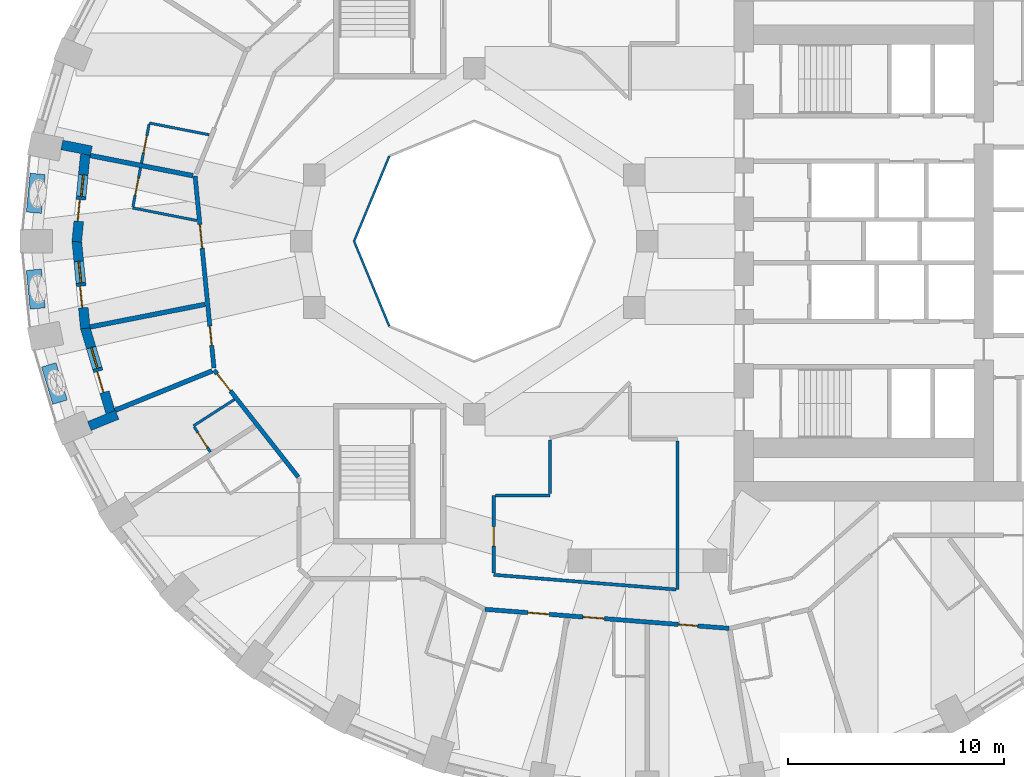
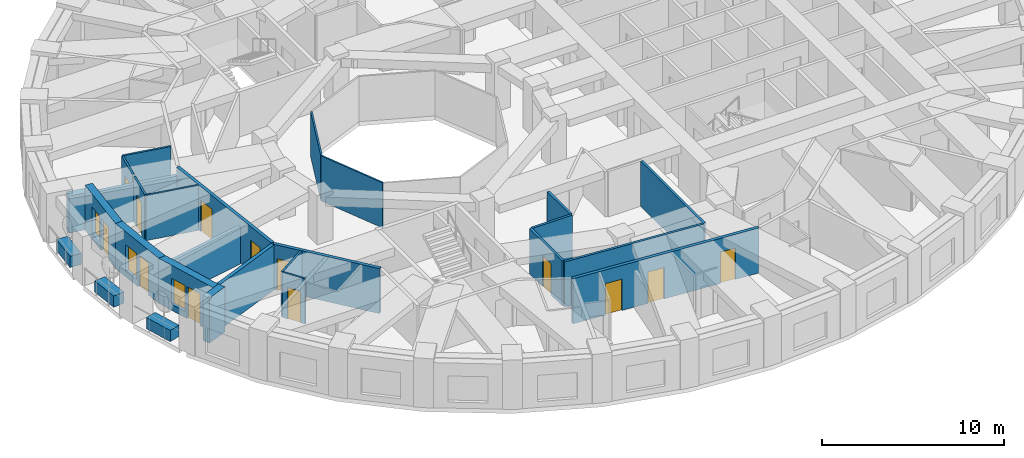
# One storey, part 4 of 13: 27 walls, 13 doors, 3 windows, 16 openings.
"""IFC4 building model written with IfcOpenShell, lengths in metres."""

from ifc_helpers import new_model, si_unit, direction, frame, frame_2d, origin, place, context, subcontext, project, spatial, rectangle, extrude, material, layer, layer_set, constituent, constituent_set, type_object, element, fill, save


model = new_model("IFC4")

# Units and contexts
model_context = context("Model", 3, precision=1e-05, world=origin(), true_north=direction((0.0, 1.0)))
body_context = subcontext(model_context, "Body", "Model", "MODEL_VIEW")
ifc_project = project(units=[si_unit("LENGTHUNIT", "METRE"), si_unit("AREAUNIT", "SQUARE_METRE"), si_unit("VOLUMEUNIT", "CUBIC_METRE"), si_unit("PLANEANGLEUNIT", "RADIAN"), si_unit("MASSUNIT", "GRAM", prefix="KILO")], contexts=[model_context])

# Site, building, storey
site_placement = place(None, origin())
site = spatial("IfcSite", under=ifc_project, at=site_placement, CompositionType="ELEMENT")
building_placement = place(site_placement, origin())
building = spatial("IfcBuilding", under=site, at=building_placement, Name="Taillehof Tower", CompositionType="ELEMENT")
storey_placement = place(building_placement, frame((0.0, 0.0, 64.60009765625)))
storey = spatial("IfcBuildingStorey", under=building, at=storey_placement, Name="L17", CompositionType="ELEMENT", Elevation=64.60009765625)

# Walls
ifc_material_1 = material(Name="Fire-resisting glass in steel frame", Category="steel")
ifc_layer_1 = layer(ifc_material_1, 0.10009765625)
ifc_layer_set_1 = layer_set([ifc_layer_1], Name="Atrium fire-resisting screen EI 60 100")
wall_type_1 = type_object("IfcWallType", Name="Atrium fire-resisting screen EI 60 100", PredefinedType="PARTITIONING", material=ifc_layer_set_1)
for number, where, z_axis, x_axis, name in (
    (1, (-11.92724609375, -3.92724609375, 0.0), (0.0, 0.0, 1.0), (-0.382730523909, 0.923860025149, 0.0), "Atrium screen"),
    (2, (-13.55419921875, 0.0, 0.0), (0.0, 0.0, 1.0), (0.382730523909, 0.923860025149, 0.0), "Atrium screen"),
):
    element("IfcWall", number, at=place(storey_placement, frame(where, z_axis=z_axis, x_axis=x_axis)), inside=storey, type_object=wall_type_1, Name=name, PredefinedType="PARTITIONING", context=body_context, shape_type="SweptSolid", body=[
        extrude(rectangle(XDim=4.2509765625, YDim=0.10009765625, at=frame_2d((2.12548828125, 0.0))), origin(), (0.0, 0.0, 1.0), 3.02001953125),
    ])
ifc_material_2 = material(Name="Brick masonry", Category="masonry")
ifc_layer_2 = layer(ifc_material_2, 0.449951171875)
ifc_layer_set_2 = layer_set([ifc_layer_2], Name="Brick infill wall 450")
wall_type_2 = type_object("IfcWallType", Name="Brick infill wall 450", PredefinedType="SOLIDWALL", material=ifc_layer_set_2)
wall_1_placement = place(storey_placement, frame((-27.06396484375, 4.449951171875, 0.0), z_axis=(0.0, 0.0, 1.0), x_axis=(0.98123042829, -0.192838913596, 0.0)))
element("IfcWall", 3, at=wall_1_placement, inside=storey, type_object=wall_type_2, Name="Brick reveal L17 pocket 5", PredefinedType="SOLIDWALL", context=body_context, shape_type="SweptSolid", body=[
    extrude(rectangle(XDim=1.39013671875, YDim=0.449951171875, at=frame_2d((0.695068359375, 0.0))), origin(), (0.0, 0.0, 1.0), 2.469970703125),
])
wall_2_placement = place(storey_placement, frame((-25.795654296875, -8.54443359375, 0.0), z_axis=(0.0, 0.0, 1.0), x_axis=(0.926575599743, 0.376108572039, 0.0)))
element("IfcWall", 4, at=wall_2_placement, inside=storey, type_object=wall_type_2, Name="Brick reveal L17 pocket 5", PredefinedType="SOLIDWALL", context=body_context, shape_type="SweptSolid", body=[
    extrude(rectangle(XDim=1.390380859375, YDim=0.449951171875, at=frame_2d((0.6953125, 0.0))), origin(), (0.0, 0.0, 1.0), 3.02001953125),
])

# Wall, openings, door, window
wall_3_placement = place(storey_placement, frame((-25.982666015625, 4.008056640625, 0.0), z_axis=(0.0, 0.0, 1.0), x_axis=(-0.097133468736, -0.995271364629, 0.0)))
wall_3 = element("IfcWall", 5, at=wall_3_placement, inside=storey, type_object=wall_type_2, Name="Brick wall L17 pocket bay 18", PredefinedType="SOLIDWALL", context=body_context, shape_type="SweptSolid", body=[
    extrude(rectangle(XDim=4.049072265625, YDim=0.449951171875, at=frame_2d((2.0244140625, 0.0))), origin(), (0.0, 0.0, 1.0), 3.02001953125),
])
opening_1_placement = place(wall_3_placement, frame((0.949462890625, 0.0, 0.39990234375)))
opening_1 = element("IfcOpeningElement", 6, at=opening_1_placement, cuts=wall_3, Name="Opening W5", PredefinedType="OPENING", context=body_context, shape_type="SweptSolid", body=[
    extrude(rectangle(XDim=1.0, YDim=1.75, at=frame_2d((0.5, 0.875))), frame((0.0, 0.23486328125, 0.0), z_axis=(0.0, -1.0, 0.0), x_axis=(1.0, 0.0, 0.0)), (0.0, 0.0, 1.0), 0.469970703125),
])
opening_2_placement = place(wall_3_placement, frame((2.099609375, 0.0, 0.0)))
opening_2 = element("IfcOpeningElement", 7, at=opening_2_placement, cuts=wall_3, Name="Opening D1791", PredefinedType="OPENING", context=body_context, shape_type="SweptSolid", body=[
    extrude(rectangle(XDim=1.0, YDim=2.14990234375, at=frame_2d((0.5, 1.074951171875))), frame((0.0, 0.23486328125, 0.0), z_axis=(0.0, -1.0, 0.0), x_axis=(1.0, 0.0, 0.0)), (0.0, 0.0, 1.0), 0.469970703125),
])
ifc_material_3 = material(Name="Aluminium door frame with clear double glazing", Category="aluminium")
door_type_1 = type_object("IfcDoorType", Name="Balcony door 1000x2150", OperationType="SINGLE_SWING_RIGHT", PredefinedType="DOOR", material=ifc_material_3)
door_1_placement = place(opening_2_placement, frame((1.0, 0.0, 0.0), z_axis=(0.0, 0.0, 1.0), x_axis=(-1.0, 0.0, 0.0)))
door_1 = element("IfcDoor", 8, at=door_1_placement, inside=storey, type_object=door_type_1, Name="Balcony door L17 bay 18", OperationType="SINGLE_SWING_RIGHT", OverallHeight=2.14990234375, OverallWidth=1.0, PredefinedType="DOOR", context=body_context, shape_type="SweptSolid", body=[
    extrude(rectangle(XDim=1.0, YDim=2.14990234375, at=frame_2d((0.5, 1.074951171875))), frame((0.0, 0.0751953125, 0.0), z_axis=(0.0, -1.0, 0.0), x_axis=(1.0, 0.0, 0.0)), (0.0, 0.0, 1.0), 0.050048828125),
])
fill(opening_2, door_1)
ifc_material_4 = material(Name="Aluminium window frame with clear double glazing", Category="aluminium")
window_type = type_object("IfcWindowType", Name="Fixed window 1000x1750", PartitioningType="SINGLE_PANEL", PredefinedType="WINDOW", material=ifc_material_4)
window_1_placement = place(opening_1_placement, origin())
window_1 = element("IfcWindow", 9, at=window_1_placement, inside=storey, type_object=window_type, Name="W5", OverallHeight=1.75, OverallWidth=1.0, PartitioningType="SINGLE_PANEL", PredefinedType="WINDOW", context=body_context, shape_type="SweptSolid", body=[
    extrude(rectangle(XDim=1.0, YDim=1.75, at=frame_2d((0.5, 0.875))), frame((0.0, 0.034912109375, 0.0), z_axis=(0.0, -1.0, 0.0), x_axis=(1.0, 0.0, 0.0)), (0.0, 0.0, 1.0), 0.06005859375),
])
fill(opening_1, window_1)

wall_4_placement = place(storey_placement, frame((-26.3759765625, 0.02197265625, 0.0), z_axis=(0.0, 0.0, 1.0), x_axis=(0.097092719726, -0.995275340685, 0.0)))
wall_4 = element("IfcWall", 10, at=wall_4_placement, inside=storey, type_object=wall_type_2, Name="Brick wall L17 pocket bay 19", PredefinedType="SOLIDWALL", context=body_context, shape_type="SweptSolid", body=[
    extrude(rectangle(XDim=4.071044921875, YDim=0.449951171875, at=frame_2d((2.03564453125, 0.0))), origin(), (0.0, 0.0, 1.0), 3.02001953125),
])
opening_3_placement = place(wall_4_placement, frame((0.96044921875, 0.0, 0.39990234375)))
opening_3 = element("IfcOpeningElement", 11, at=opening_3_placement, cuts=wall_4, Name="Opening W5", PredefinedType="OPENING", context=body_context, shape_type="SweptSolid", body=[
    extrude(rectangle(XDim=1.0, YDim=1.75, at=frame_2d((0.5, 0.875))), frame((0.0, 0.23486328125, 0.0), z_axis=(0.0, -1.0, 0.0), x_axis=(1.0, 0.0, 0.0)), (0.0, 0.0, 1.0), 0.469970703125),
])
opening_4_placement = place(wall_4_placement, frame((2.110595703125, 0.0, 0.0)))
opening_4 = element("IfcOpeningElement", 12, at=opening_4_placement, cuts=wall_4, Name="Opening D1792", PredefinedType="OPENING", context=body_context, shape_type="SweptSolid", body=[
    extrude(rectangle(XDim=1.0, YDim=2.14990234375, at=frame_2d((0.5, 1.074951171875))), frame((0.0, 0.23486328125, 0.0), z_axis=(0.0, -1.0, 0.0), x_axis=(1.0, 0.0, 0.0)), (0.0, 0.0, 1.0), 0.469970703125),
])
door_2_placement = place(opening_4_placement, frame((1.0, 0.0, 0.0), z_axis=(0.0, 0.0, 1.0), x_axis=(-1.0, 0.0, 0.0)))
door_2 = element("IfcDoor", 13, at=door_2_placement, inside=storey, type_object=door_type_1, Name="Balcony door L17 bay 19", OperationType="SINGLE_SWING_LEFT", OverallHeight=2.14990234375, OverallWidth=1.0, PredefinedType="DOOR", context=body_context, shape_type="SweptSolid", body=[
    extrude(rectangle(XDim=1.0, YDim=2.14990234375, at=frame_2d((0.5, 1.074951171875))), frame((0.0, 0.0751953125, 0.0), z_axis=(0.0, -1.0, 0.0), x_axis=(1.0, 0.0, 0.0)), (0.0, 0.0, 1.0), 0.050048828125),
])
fill(opening_4, door_2)
window_2_placement = place(opening_3_placement, origin())
window_2 = element("IfcWindow", 14, at=window_2_placement, inside=storey, type_object=window_type, Name="W5", OverallHeight=1.75, OverallWidth=1.0, PartitioningType="SINGLE_PANEL", PredefinedType="WINDOW", context=body_context, shape_type="SweptSolid", body=[
    extrude(rectangle(XDim=1.0, YDim=1.75, at=frame_2d((0.5, 0.875))), frame((0.0, 0.034912109375, 0.0), z_axis=(0.0, -1.0, 0.0), x_axis=(1.0, 0.0, 0.0)), (0.0, 0.0, 1.0), 0.06005859375),
])
fill(opening_3, window_2)

wall_5_placement = place(storey_placement, frame((-25.989013671875, -3.9873046875, 0.0), z_axis=(0.0, 0.0, 1.0), x_axis=(0.286427456555, -0.958101932015, 0.0)))
wall_5 = element("IfcWall", 15, at=wall_5_placement, inside=storey, type_object=wall_type_2, Name="Brick wall L17 pocket bay 20", PredefinedType="SOLIDWALL", context=body_context, shape_type="SweptSolid", body=[
    extrude(rectangle(XDim=4.0888671875, YDim=0.449951171875, at=frame_2d((2.04443359375, 0.0))), origin(), (0.0, 0.0, 1.0), 3.02001953125),
])
opening_5_placement = place(wall_5_placement, frame((0.969482421875, 0.0, 0.39990234375)))
opening_5 = element("IfcOpeningElement", 16, at=opening_5_placement, cuts=wall_5, Name="Opening W5", PredefinedType="OPENING", context=body_context, shape_type="SweptSolid", body=[
    extrude(rectangle(XDim=1.0, YDim=1.75, at=frame_2d((0.5, 0.875))), frame((0.0, 0.23486328125, 0.0), z_axis=(0.0, -1.0, 0.0), x_axis=(1.0, 0.0, 0.0)), (0.0, 0.0, 1.0), 0.469970703125),
])
opening_6_placement = place(wall_5_placement, frame((2.119384765625, 0.0, 0.0)))
opening_6 = element("IfcOpeningElement", 17, at=opening_6_placement, cuts=wall_5, Name="Opening D1793", PredefinedType="OPENING", context=body_context, shape_type="SweptSolid", body=[
    extrude(rectangle(XDim=1.0, YDim=2.14990234375, at=frame_2d((0.5, 1.074951171875))), frame((0.0, 0.23486328125, 0.0), z_axis=(0.0, -1.0, 0.0), x_axis=(1.0, 0.0, 0.0)), (0.0, 0.0, 1.0), 0.469970703125),
])
door_3_placement = place(opening_6_placement, frame((1.0, 0.0, 0.0), z_axis=(0.0, 0.0, 1.0), x_axis=(-1.0, 0.0, 0.0)))
door_3 = element("IfcDoor", 18, at=door_3_placement, inside=storey, type_object=door_type_1, Name="Balcony door L17 bay 20", OperationType="SINGLE_SWING_LEFT", OverallHeight=2.14990234375, OverallWidth=1.0, PredefinedType="DOOR", context=body_context, shape_type="SweptSolid", body=[
    extrude(rectangle(XDim=1.0, YDim=2.14990234375, at=frame_2d((0.5, 1.074951171875))), frame((0.0, 0.0751953125, 0.0), z_axis=(0.0, -1.0, 0.0), x_axis=(1.0, 0.0, 0.0)), (0.0, 0.0, 1.0), 0.050048828125),
])
fill(opening_6, door_3)
window_3_placement = place(opening_5_placement, origin())
window_3 = element("IfcWindow", 19, at=window_3_placement, inside=storey, type_object=window_type, Name="W5", OverallHeight=1.75, OverallWidth=1.0, PartitioningType="SINGLE_PANEL", PredefinedType="WINDOW", context=body_context, shape_type="SweptSolid", body=[
    extrude(rectangle(XDim=1.0, YDim=1.75, at=frame_2d((0.5, 0.875))), frame((0.0, 0.034912109375, 0.0), z_axis=(0.0, -1.0, 0.0), x_axis=(1.0, 0.0, 0.0)), (0.0, 0.0, 1.0), 0.06005859375),
])
fill(opening_5, window_3)

# Wall, openings, doors
ifc_material_5 = material(Name="Gypsum board on steel studs, two layers each side", Category="steel")
ifc_layer_3 = layer(ifc_material_5, 0.199951171875)
ifc_layer_set_3 = layer_set([ifc_layer_3], Name="Compartment wall corridor 200")
wall_type_3 = type_object("IfcWallType", Name="Compartment wall corridor 200", PredefinedType="PARTITIONING", material=ifc_layer_set_3)
wall_6_placement = place(storey_placement, frame((3.77783203125, -17.897705078125, 0.0), z_axis=(0.0, 0.0, 1.0), x_axis=(-0.996963005503, 0.077876605336, 0.0)))
wall_6 = element("IfcWall", 20, at=wall_6_placement, inside=storey, type_object=wall_type_3, Name="Compartment wall", PredefinedType="PARTITIONING", context=body_context, shape_type="SweptSolid", body=[
    extrude(rectangle(XDim=11.31103515625, YDim=0.199951171875, at=frame_2d((5.655517578125, 0.0))), origin(), (0.0, 0.0, 1.0), 3.02001953125),
])
opening_7_placement = place(wall_6_placement, frame((8.32958984375, 0.0, 0.0)))
opening_7 = element("IfcOpeningElement", 21, at=opening_7_placement, cuts=wall_6, Name="Opening D1766", PredefinedType="OPENING", context=body_context, shape_type="SweptSolid", body=[
    extrude(rectangle(XDim=1.0, YDim=2.10009765625, at=frame_2d((0.5, 1.050048828125))), frame((0.0, 0.10986328125, 0.0), z_axis=(0.0, -1.0, 0.0), x_axis=(1.0, 0.0, 0.0)), (0.0, 0.0, 1.0), 0.219970703125),
])
opening_8_placement = place(wall_6_placement, frame((5.77001953125, 0.0, 0.0)))
opening_8 = element("IfcOpeningElement", 22, at=opening_8_placement, cuts=wall_6, Name="Opening D1768", PredefinedType="OPENING", context=body_context, shape_type="SweptSolid", body=[
    extrude(rectangle(XDim=1.0, YDim=2.10009765625, at=frame_2d((0.5, 1.050048828125))), frame((0.0, 0.10986328125, 0.0), z_axis=(0.0, -1.0, 0.0), x_axis=(1.0, 0.0, 0.0)), (0.0, 0.0, 1.0), 0.219970703125),
])
opening_9_placement = place(wall_6_placement, frame((1.44970703125, 0.0, 0.0)))
opening_9 = element("IfcOpeningElement", 23, at=opening_9_placement, cuts=wall_6, Name="Opening D1770", PredefinedType="OPENING", context=body_context, shape_type="SweptSolid", body=[
    extrude(rectangle(XDim=0.89990234375, YDim=2.10009765625, at=frame_2d((0.449951171875, 1.050048828125))), frame((0.0, 0.10986328125, 0.0), z_axis=(0.0, -1.0, 0.0), x_axis=(1.0, 0.0, 0.0)), (0.0, 0.0, 1.0), 0.219970703125),
])
ifc_material_6 = material(Name="Timber door leaf in steel frame", Category="steel")
door_type_2 = type_object("IfcDoorType", Name="Guest room door EI 30 1000 x 2100", OperationType="SINGLE_SWING_LEFT", PredefinedType="DOOR", material=ifc_material_6)
door_4_placement = place(opening_7_placement, origin())
door_4 = element("IfcDoor", 24, at=door_4_placement, inside=storey, type_object=door_type_2, Name="D1766", OperationType="SINGLE_SWING_RIGHT", OverallHeight=2.10009765625, OverallWidth=1.0, PredefinedType="DOOR", context=body_context, shape_type="SweptSolid", body=[
    extrude(rectangle(XDim=1.0, YDim=2.10009765625, at=frame_2d((0.5, 1.050048828125))), frame((0.0, 0.02490234375, 0.0), z_axis=(0.0, -1.0, 0.0), x_axis=(1.0, 0.0, 0.0)), (0.0, 0.0, 1.0), 0.050048828125),
])
fill(opening_7, door_4)
door_5_placement = place(opening_8_placement, origin())
door_5 = element("IfcDoor", 25, at=door_5_placement, inside=storey, type_object=door_type_2, Name="D1768", OperationType="SINGLE_SWING_LEFT", OverallHeight=2.10009765625, OverallWidth=1.0, PredefinedType="DOOR", context=body_context, shape_type="SweptSolid", body=[
    extrude(rectangle(XDim=1.0, YDim=2.10009765625, at=frame_2d((0.5, 1.050048828125))), frame((0.0, 0.02490234375, 0.0), z_axis=(0.0, -1.0, 0.0), x_axis=(1.0, 0.0, 0.0)), (0.0, 0.0, 1.0), 0.050048828125),
])
fill(opening_8, door_5)
ifc_material_7 = material(Name="Timber door leaf in steel frame", Category="steel")
door_type_3 = type_object("IfcDoorType", Name="Service room door EI 30 900 x 2100", OperationType="SINGLE_SWING_LEFT", PredefinedType="DOOR", material=ifc_material_7)
door_6_placement = place(opening_9_placement, origin())
door_6 = element("IfcDoor", 26, at=door_6_placement, inside=storey, type_object=door_type_3, Name="D1770", OperationType="SINGLE_SWING_RIGHT", OverallHeight=2.10009765625, OverallWidth=0.89990234375, PredefinedType="DOOR", context=body_context, shape_type="SweptSolid", body=[
    extrude(rectangle(XDim=0.89990234375, YDim=2.10009765625, at=frame_2d((0.449951171875, 1.050048828125))), frame((0.0, 0.02490234375, 0.0), z_axis=(0.0, -1.0, 0.0), x_axis=(1.0, 0.0, 0.0)), (0.0, 0.0, 1.0), 0.050048828125),
])
fill(opening_9, door_6)

# Wall, opening, door
wall_7_placement = place(storey_placement, frame((-16.137451171875, -10.904052734375, 0.0), z_axis=(0.0, 0.0, 1.0), x_axis=(-0.617888403737, 0.786265807808, 0.0)))
wall_7 = element("IfcWall", 27, at=wall_7_placement, inside=storey, type_object=wall_type_3, Name="Compartment wall", PredefinedType="PARTITIONING", context=body_context, shape_type="SweptSolid", body=[
    extrude(rectangle(XDim=6.2900390625, YDim=0.199951171875, at=frame_2d((3.14501953125, 0.0))), origin(), (0.0, 0.0, 1.0), 3.02001953125),
])
opening_10_placement = place(wall_7_placement, frame((5.06982421875, 0.0, 0.0)))
opening_10 = element("IfcOpeningElement", 28, at=opening_10_placement, cuts=wall_7, Name="Opening D1760", PredefinedType="OPENING", context=body_context, shape_type="SweptSolid", body=[
    extrude(rectangle(XDim=1.0, YDim=2.10009765625, at=frame_2d((0.5, 1.050048828125))), frame((0.0, 0.10986328125, 0.0), z_axis=(0.0, -1.0, 0.0), x_axis=(1.0, 0.0, 0.0)), (0.0, 0.0, 1.0), 0.219970703125),
])
door_7_placement = place(opening_10_placement, origin())
door_7 = element("IfcDoor", 29, at=door_7_placement, inside=storey, type_object=door_type_2, Name="D1760", OperationType="SINGLE_SWING_RIGHT", OverallHeight=2.10009765625, OverallWidth=1.0, PredefinedType="DOOR", context=body_context, shape_type="SweptSolid", body=[
    extrude(rectangle(XDim=1.0, YDim=2.10009765625, at=frame_2d((0.5, 1.050048828125))), frame((0.0, 0.02490234375, 0.0), z_axis=(0.0, -1.0, 0.0), x_axis=(1.0, 0.0, 0.0)), (0.0, 0.0, 1.0), 0.050048828125),
])
fill(opening_10, door_7)

# Wall, openings, doors
wall_8_placement = place(storey_placement, frame((-20.03369140625, -5.8583984375, 0.0), z_axis=(0.0, 0.0, 1.0), x_axis=(-0.097894942705, 0.995196754513, 0.0)))
wall_8 = element("IfcWall", 30, at=wall_8_placement, inside=storey, type_object=wall_type_3, Name="Compartment wall", PredefinedType="PARTITIONING", context=body_context, shape_type="SweptSolid", body=[
    extrude(rectangle(XDim=8.91064453125, YDim=0.199951171875, at=frame_2d((4.455322265625, 0.0))), origin(), (0.0, 0.0, 1.0), 3.02001953125),
])
opening_11_placement = place(wall_8_placement, frame((5.56494140625, 0.0, 0.0)))
opening_11 = element("IfcOpeningElement", 31, at=opening_11_placement, cuts=wall_8, Name="Opening D1757", PredefinedType="OPENING", context=body_context, shape_type="SweptSolid", body=[
    extrude(rectangle(XDim=1.10009765625, YDim=2.10009765625, at=frame_2d((0.550048828125, 1.050048828125))), frame((0.0, 0.10986328125, 0.0), z_axis=(0.0, -1.0, 0.0), x_axis=(1.0, 0.0, 0.0)), (0.0, 0.0, 1.0), 0.219970703125),
])
opening_12_placement = place(wall_8_placement, frame((1.043701171875, 0.0, 0.0)))
opening_12 = element("IfcOpeningElement", 32, at=opening_12_placement, cuts=wall_8, Name="Opening D1759", PredefinedType="OPENING", context=body_context, shape_type="SweptSolid", body=[
    extrude(rectangle(XDim=0.89990234375, YDim=2.10009765625, at=frame_2d((0.449951171875, 1.050048828125))), frame((0.0, 0.10986328125, 0.0), z_axis=(0.0, -1.0, 0.0), x_axis=(1.0, 0.0, 0.0)), (0.0, 0.0, 1.0), 0.219970703125),
])
door_8_placement = place(opening_12_placement, origin())
door_8 = element("IfcDoor", 33, at=door_8_placement, inside=storey, type_object=door_type_3, Name="D1759", OperationType="SINGLE_SWING_RIGHT", OverallHeight=2.10009765625, OverallWidth=0.89990234375, PredefinedType="DOOR", context=body_context, shape_type="SweptSolid", body=[
    extrude(rectangle(XDim=0.89990234375, YDim=2.10009765625, at=frame_2d((0.449951171875, 1.050048828125))), frame((0.0, 0.02490234375, 0.0), z_axis=(0.0, -1.0, 0.0), x_axis=(1.0, 0.0, 0.0)), (0.0, 0.0, 1.0), 0.050048828125),
])
fill(opening_12, door_8)
ifc_material_8 = material(Name="Timber door leaf in steel frame", Category="steel")
door_type_4 = type_object("IfcDoorType", Name="Suite entrance door EI 30 1100 x 2100", OperationType="SINGLE_SWING_LEFT", PredefinedType="DOOR", material=ifc_material_8)
door_9_placement = place(opening_11_placement, origin())
door_9 = element("IfcDoor", 34, at=door_9_placement, inside=storey, type_object=door_type_4, Name="D1757", OperationType="SINGLE_SWING_RIGHT", OverallHeight=2.10009765625, OverallWidth=1.10009765625, PredefinedType="DOOR", context=body_context, shape_type="SweptSolid", body=[
    extrude(rectangle(XDim=1.10009765625, YDim=2.10009765625, at=frame_2d((0.550048828125, 1.050048828125))), frame((0.0, 0.02490234375, 0.0), z_axis=(0.0, -1.0, 0.0), x_axis=(1.0, 0.0, 0.0)), (0.0, 0.0, 1.0), 0.050048828125),
])
fill(opening_11, door_9)

# Walls
ifc_material_9 = material(Name="Gypsum board on double steel studs with mineral wool", Category="steel")
ifc_layer_4 = layer(ifc_material_9, 0.219970703125)
ifc_layer_set_4 = layer_set([ifc_layer_4], Name="Compartment wall guest room 220")
wall_type_4 = type_object("IfcWallType", Name="Compartment wall guest room 220", PredefinedType="PARTITIONING", material=ifc_layer_set_4)
wall_9_placement = place(storey_placement, frame((-25.760986328125, 3.96435546875, 0.0), z_axis=(0.0, 0.0, 1.0), x_axis=(0.981216494224, -0.192909801364, 0.0)))
element("IfcWall", 35, at=wall_9_placement, inside=storey, type_object=wall_type_4, Name="Compartment wall", PredefinedType="PARTITIONING", context=body_context, shape_type="SweptSolid", body=[
    extrude(rectangle(XDim=4.848388671875, YDim=0.219970703125, at=frame_2d((2.42431640625, 0.0))), origin(), (0.0, 0.0, 1.0), 2.469970703125),
])
wall_10_placement = place(storey_placement, frame((-25.760986328125, -3.96435546875, 0.0), z_axis=(0.0, 0.0, 1.0), x_axis=(0.981209698951, 0.192944361627, 0.0)))
element("IfcWall", 36, at=wall_10_placement, inside=storey, type_object=wall_type_4, Name="Compartment wall", PredefinedType="PARTITIONING", context=body_context, shape_type="SweptSolid", body=[
    extrude(rectangle(XDim=5.41943359375, YDim=0.219970703125, at=frame_2d((2.709716796875, 0.0))), origin(), (0.0, 0.0, 1.0), 2.469970703125),
])
wall_11_placement = place(storey_placement, frame((-24.6083984375, -7.81982421875, 0.0), z_axis=(0.0, 0.0, 1.0), x_axis=(0.92655764882, 0.376152792643, 0.0)))
element("IfcWall", 37, at=wall_11_placement, inside=storey, type_object=wall_type_4, Name="Compartment wall", PredefinedType="PARTITIONING", context=body_context, shape_type="SweptSolid", body=[
    extrude(rectangle(XDim=4.84765625, YDim=0.219970703125, at=frame_2d((2.423828125, 0.0))), origin(), (0.0, 0.0, 1.0), 3.02001953125),
])
ifc_material_10 = material(Name="Gypsum board on steel studs, two layers each side", Category="steel")
ifc_layer_5 = layer(ifc_material_10, 0.14990234375)
ifc_layer_set_5 = layer_set([ifc_layer_5], Name="Compartment wall service room 150")
wall_type_5 = type_object("IfcWallType", Name="Compartment wall service room 150", PredefinedType="PARTITIONING", material=ifc_layer_set_5)
wall_12_placement = place(storey_placement, frame((1.39990234375, -9.22998046875, 0.0), z_axis=(0.0, 0.0, 1.0), x_axis=(0.0, -1.0, 0.0)))
element("IfcWall", 38, at=wall_12_placement, inside=storey, type_object=wall_type_5, Name="Compartment wall", PredefinedType="PARTITIONING", context=body_context, shape_type="SweptSolid", body=[
    extrude(rectangle(XDim=6.876953125, YDim=0.14990234375, at=frame_2d((3.4384765625, 0.0))), origin(), (0.0, 0.0, 1.0), 3.02001953125),
])
wall_13_placement = place(storey_placement, frame((1.31982421875, -16.10009765625, 0.0), z_axis=(0.0, 0.0, 1.0), x_axis=(-0.996773882711, 0.080260991426, 0.0)))
element("IfcWall", 39, at=wall_13_placement, inside=storey, type_object=wall_type_5, Name="Compartment wall", PredefinedType="PARTITIONING", context=body_context, shape_type="SweptSolid", body=[
    extrude(rectangle(XDim=8.447265625, YDim=0.14990234375, at=frame_2d((4.2236328125, 0.0))), origin(), (0.0, 0.0, 1.0), 3.02001953125),
])

# Wall, opening, door
wall_14_placement = place(storey_placement, frame((-7.10009765625, -15.342041015625, 0.0), z_axis=(0.0, 0.0, 1.0), x_axis=(0.0, 1.0, 0.0)))
wall_14 = element("IfcWall", 40, at=wall_14_placement, inside=storey, type_object=wall_type_5, Name="Compartment wall", PredefinedType="PARTITIONING", context=body_context, shape_type="SweptSolid", body=[
    extrude(rectangle(XDim=3.592041015625, YDim=0.14990234375, at=frame_2d((1.7958984375, 0.0))), origin(), (0.0, 0.0, 1.0), 3.02001953125),
])
opening_13_placement = place(wall_14_placement, frame((1.24365234375, 0.0, 0.0)))
opening_13 = element("IfcOpeningElement", 41, at=opening_13_placement, cuts=wall_14, Name="Opening D1781", PredefinedType="OPENING", context=body_context, shape_type="SweptSolid", body=[
    extrude(rectangle(XDim=0.89990234375, YDim=2.10009765625, at=frame_2d((0.449951171875, 1.050048828125))), frame((0.0, 0.0849609375, 0.0), z_axis=(0.0, -1.0, 0.0), x_axis=(1.0, 0.0, 0.0)), (0.0, 0.0, 1.0), 0.169921875),
])
door_10_placement = place(opening_13_placement, origin())
door_10 = element("IfcDoor", 42, at=door_10_placement, inside=storey, type_object=door_type_3, Name="D1781", OperationType="SINGLE_SWING_RIGHT", OverallHeight=2.10009765625, OverallWidth=0.89990234375, PredefinedType="DOOR", context=body_context, shape_type="SweptSolid", body=[
    extrude(rectangle(XDim=0.89990234375, YDim=2.10009765625, at=frame_2d((0.449951171875, 1.050048828125))), frame((0.0, 0.02490234375, 0.0), z_axis=(0.0, -1.0, 0.0), x_axis=(1.0, 0.0, 0.0)), (0.0, 0.0, 1.0), 0.050048828125),
])
fill(opening_13, door_10)

# Walls
wall_15_placement = place(storey_placement, frame((-7.02001953125, -11.75, 0.0), z_axis=(0.0, 0.0, 1.0), x_axis=(1.0, 0.0, 0.0)))
element("IfcWall", 43, at=wall_15_placement, inside=storey, type_object=wall_type_5, Name="Compartment wall", PredefinedType="PARTITIONING", context=body_context, shape_type="SweptSolid", body=[
    extrude(rectangle(XDim=2.52001953125, YDim=0.14990234375, at=frame_2d((1.260009765625, 0.0))), origin(), (0.0, 0.0, 1.0), 3.02001953125),
])
wall_16_placement = place(storey_placement, frame((-4.5, -11.669921875, 0.0), z_axis=(0.0, 0.0, 1.0), x_axis=(0.0, 1.0, 0.0)))
element("IfcWall", 44, at=wall_16_placement, inside=storey, type_object=wall_type_5, Name="Compartment wall", PredefinedType="PARTITIONING", context=body_context, shape_type="SweptSolid", body=[
    extrude(rectangle(XDim=2.485595703125, YDim=0.14990234375, at=frame_2d((1.24267578125, 0.0))), origin(), (0.0, 0.0, 1.0), 3.02001953125),
])
ifc_material_11 = material(Name="Gypsum board on steel studs, moisture resistant", Category="steel")
ifc_layer_6 = layer(ifc_material_11, 0.1201171875)
ifc_layer_set_6 = layer_set([ifc_layer_6], Name="En-suite wall 120")
wall_type_6 = type_object("IfcWallType", Name="En-suite wall 120", PredefinedType="PARTITIONING", material=ifc_layer_set_6)
wall_17_placement = place(storey_placement, frame((-20.2568359375, 4.920166015625, 0.0), z_axis=(0.0, 0.0, 1.0), x_axis=(-0.981202530622, 0.192980812261, 0.0)))
element("IfcWall", 45, at=wall_17_placement, inside=storey, type_object=wall_type_6, Name="En-suite wall", PredefinedType="PARTITIONING", context=body_context, shape_type="SweptSolid", body=[
    extrude(rectangle(XDim=2.816162109375, YDim=0.1201171875, at=frame_2d((1.408203125, 0.0))), origin(), (0.0, 0.0, 1.0), 3.02001953125),
])
wall_18_placement = place(storey_placement, frame((-20.823486328125, 0.955078125, 0.0), z_axis=(0.0, 0.0, 1.0), x_axis=(-0.981208735185, 0.192949262754, 0.0)))
element("IfcWall", 46, at=wall_18_placement, inside=storey, type_object=wall_type_6, Name="En-suite wall", PredefinedType="PARTITIONING", context=body_context, shape_type="SweptSolid", body=[
    extrude(rectangle(XDim=3.025390625, YDim=0.1201171875, at=frame_2d((1.5126953125, 0.0))), origin(), (0.0, 0.0, 1.0), 3.02001953125),
])
wall_19_placement = place(storey_placement, frame((-19.083984375, -7.316162109375, 0.0), z_axis=(0.0, 0.0, 1.0), x_axis=(-0.840762836723, -0.54140359473, 0.0)))
element("IfcWall", 47, at=wall_19_placement, inside=storey, type_object=wall_type_6, Name="En-suite wall", PredefinedType="PARTITIONING", context=body_context, shape_type="SweptSolid", body=[
    extrude(rectangle(XDim=2.25341796875, YDim=0.1201171875, at=frame_2d((1.126708984375, 0.0))), origin(), (0.0, 0.0, 1.0), 3.02001953125),
])

# Wall, opening, door
wall_20_placement = place(storey_placement, frame((-23.03173828125, 5.405029296875, 0.0), z_axis=(0.0, 0.0, 1.0), x_axis=(-0.19288291118, -0.981221780524, 0.0)))
wall_20 = element("IfcWall", 48, at=wall_20_placement, inside=storey, type_object=wall_type_6, Name="En-suite wall", PredefinedType="PARTITIONING", context=body_context, shape_type="SweptSolid", body=[
    extrude(rectangle(XDim=1.830322265625, YDim=0.1201171875, at=frame_2d((0.9150390625, 0.0))), origin(), (0.0, 0.0, 1.0), 3.02001953125),
])
opening_14_placement = place(wall_20_placement, frame((0.5400390625, 0.0, 0.0)))
opening_14 = element("IfcOpeningElement", 49, at=opening_14_placement, cuts=wall_20, Name="Opening D1756", PredefinedType="OPENING", context=body_context, shape_type="SweptSolid", body=[
    extrude(rectangle(XDim=0.800048828125, YDim=2.10009765625, at=frame_2d((0.39990234375, 1.050048828125))), frame((0.0, 0.070068359375, 0.0), z_axis=(0.0, -1.0, 0.0), x_axis=(1.0, 0.0, 0.0)), (0.0, 0.0, 1.0), 0.14013671875),
])
ifc_material_12 = material(Name="Timber door leaf in steel frame", Category="steel")
door_type_5 = type_object("IfcDoorType", Name="En-suite door 800 x 2100", OperationType="SINGLE_SWING_LEFT", PredefinedType="DOOR", material=ifc_material_12)
door_11_placement = place(opening_14_placement, origin())
door_11 = element("IfcDoor", 50, at=door_11_placement, inside=storey, type_object=door_type_5, Name="D1756", OperationType="SINGLE_SWING_LEFT", OverallHeight=2.10009765625, OverallWidth=0.800048828125, PredefinedType="DOOR", context=body_context, shape_type="SweptSolid", body=[
    extrude(rectangle(XDim=0.800048828125, YDim=2.10009765625, at=frame_2d((0.39990234375, 1.050048828125))), frame((0.0, 0.02490234375, 0.0), z_axis=(0.0, -1.0, 0.0), x_axis=(1.0, 0.0, 0.0)), (0.0, 0.0, 1.0), 0.050048828125),
])
fill(opening_14, door_11)

wall_21_placement = place(storey_placement, frame((-23.780517578125, 1.59765625, 0.0), z_axis=(0.0, 0.0, 1.0), x_axis=(0.193036598643, 0.981191557029, 0.0)))
wall_21 = element("IfcWall", 51, at=wall_21_placement, inside=storey, type_object=wall_type_6, Name="En-suite wall", PredefinedType="PARTITIONING", context=body_context, shape_type="SweptSolid", body=[
    extrude(rectangle(XDim=1.830078125, YDim=0.1201171875, at=frame_2d((0.9150390625, 0.0))), origin(), (0.0, 0.0, 1.0), 3.02001953125),
])
opening_15_placement = place(wall_21_placement, frame((0.5400390625, 0.0, 0.0)))
opening_15 = element("IfcOpeningElement", 52, at=opening_15_placement, cuts=wall_21, Name="Opening D1758", PredefinedType="OPENING", context=body_context, shape_type="SweptSolid", body=[
    extrude(rectangle(XDim=0.800048828125, YDim=2.10009765625, at=frame_2d((0.39990234375, 1.050048828125))), frame((0.0, 0.070068359375, 0.0), z_axis=(0.0, -1.0, 0.0), x_axis=(1.0, 0.0, 0.0)), (0.0, 0.0, 1.0), 0.14013671875),
])
door_12_placement = place(opening_15_placement, origin())
door_12 = element("IfcDoor", 53, at=door_12_placement, inside=storey, type_object=door_type_5, Name="D1758", OperationType="SINGLE_SWING_RIGHT", OverallHeight=2.10009765625, OverallWidth=0.800048828125, PredefinedType="DOOR", context=body_context, shape_type="SweptSolid", body=[
    extrude(rectangle(XDim=0.800048828125, YDim=2.10009765625, at=frame_2d((0.39990234375, 1.050048828125))), frame((0.0, 0.02490234375, 0.0), z_axis=(0.0, -1.0, 0.0), x_axis=(1.0, 0.0, 0.0)), (0.0, 0.0, 1.0), 0.050048828125),
])
fill(opening_15, door_12)

wall_22_placement = place(storey_placement, frame((-20.9462890625, -8.586669921875, 0.0), z_axis=(0.0, 0.0, 1.0), x_axis=(0.541526323973, -0.840683793375, 0.0)))
wall_22 = element("IfcWall", 54, at=wall_22_placement, inside=storey, type_object=wall_type_6, Name="En-suite wall", PredefinedType="PARTITIONING", context=body_context, shape_type="SweptSolid", body=[
    extrude(rectangle(XDim=1.380126953125, YDim=0.1201171875, at=frame_2d((0.68994140625, 0.0))), origin(), (0.0, 0.0, 1.0), 3.02001953125),
])
opening_16_placement = place(wall_22_placement, frame((0.31494140625, 0.0, 0.0)))
opening_16 = element("IfcOpeningElement", 55, at=opening_16_placement, cuts=wall_22, Name="Opening D1761", PredefinedType="OPENING", context=body_context, shape_type="SweptSolid", body=[
    extrude(rectangle(XDim=0.800048828125, YDim=2.10009765625, at=frame_2d((0.39990234375, 1.050048828125))), frame((0.0, 0.070068359375, 0.0), z_axis=(0.0, -1.0, 0.0), x_axis=(1.0, 0.0, 0.0)), (0.0, 0.0, 1.0), 0.14013671875),
])
door_13_placement = place(opening_16_placement, origin())
door_13 = element("IfcDoor", 56, at=door_13_placement, inside=storey, type_object=door_type_5, Name="D1761", OperationType="SINGLE_SWING_LEFT", OverallHeight=2.10009765625, OverallWidth=0.800048828125, PredefinedType="DOOR", context=body_context, shape_type="SweptSolid", body=[
    extrude(rectangle(XDim=0.800048828125, YDim=2.10009765625, at=frame_2d((0.39990234375, 1.050048828125))), frame((0.0, 0.02490234375, 0.0), z_axis=(0.0, -1.0, 0.0), x_axis=(1.0, 0.0, 0.0)), (0.0, 0.0, 1.0), 0.050048828125),
])
fill(opening_16, door_13)

# Walls
ifc_material_13 = material(Name="Concrete C30/37 precast", Category="concrete")
ifc_constituent_1 = constituent(ifc_material_13, Name="Structure", Category="concrete")
ifc_material_14 = material(Name="Insulated lining")
ifc_constituent_2 = constituent(ifc_material_14, Name="Lining")
ifc_constituent_set = constituent_set(constituents=[ifc_constituent_1, ifc_constituent_2], Name="Planter trough 700x750")
wall_type_7 = type_object("IfcWallType", Name="Planter trough 700x750", PredefinedType="USERDEFINED", material=ifc_constituent_set)
for number, where, z_axis, x_axis, name in (
    (57, (-28.18310546875, 3.11083984375, 0.0), (0.0, 0.0, 1.0), (-0.097381768628, -0.995247100543, 0.0), "Planter L17 bay 18"),
    (58, (-28.3583984375, -1.3193359375, 0.0), (0.0, 0.0, 1.0), (0.097381768628, -0.995247100543, 0.0), "Planter L17 bay 19"),
):
    element("IfcWall", number, at=place(storey_placement, frame(where, z_axis=z_axis, x_axis=x_axis)), inside=storey, type_object=wall_type_7, Name=name, ObjectType="PLANTER", PredefinedType="USERDEFINED", context=body_context, shape_type="SweptSolid", body=[
        extrude(rectangle(XDim=1.800048828125, YDim=0.699951171875, at=frame_2d((0.89990234375, 0.0))), origin(), (0.0, 0.0, 1.0), 0.75),
    ])
wall_23_placement = place(storey_placement, frame((-27.668701171875, -5.71533203125, 0.0), z_axis=(0.0, 0.0, 1.0), x_axis=(0.287024312863, -0.957923297465, 0.0)))
element("IfcWall", 59, at=wall_23_placement, inside=storey, type_object=wall_type_7, Name="Planter L17 bay 20", ObjectType="PLANTER", PredefinedType="USERDEFINED", context=body_context, shape_type="SweptSolid", body=[
    extrude(rectangle(XDim=1.7998046875, YDim=0.699951171875, at=frame_2d((0.89990234375, 0.0))), origin(), (0.0, 0.0, 1.0), 0.75),
])

save(model, "model.ifc")
